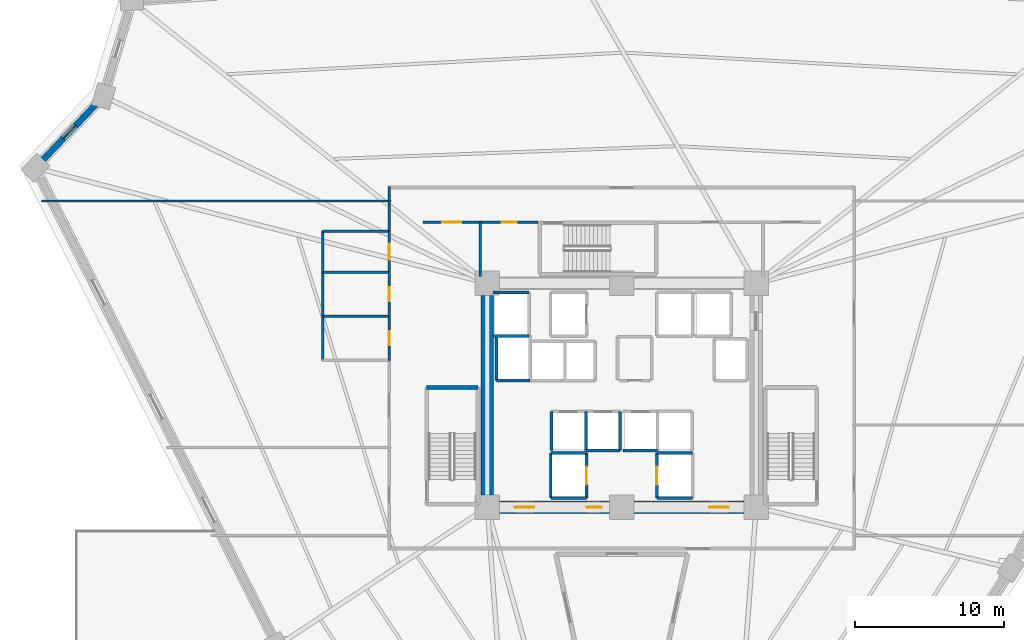
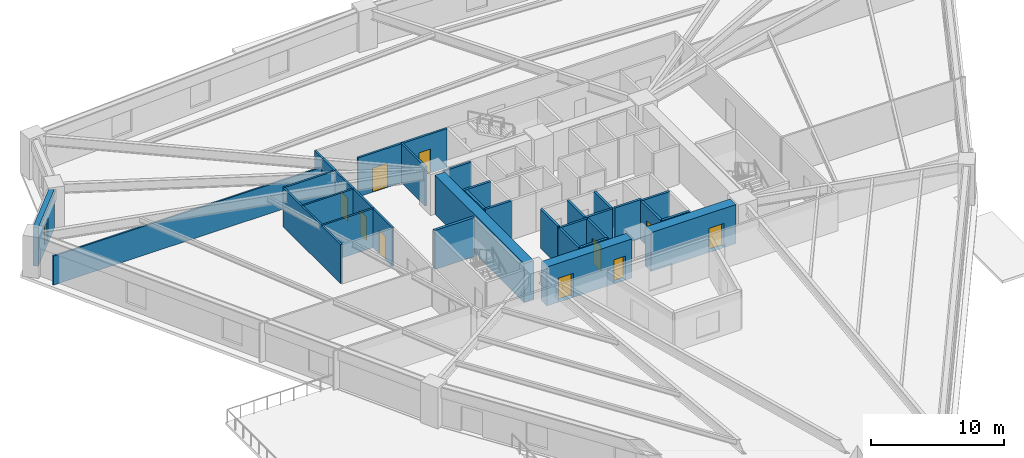
# One storey, part 4 of 9: 34 walls, 10 doors, 1 window, 11 openings.
"""IFC4 building model written with IfcOpenShell, lengths in metres."""

from ifc_helpers import new_model, si_unit, direction, frame, frame_2d, origin, place, context, subcontext, project, spatial, rectangle, extrude, source, transform, mapped, material, layer, layer_set, type_object, element, fill, save


model = new_model("IFC4")

# Units and contexts
model_context = context("Model", 3, precision=1e-05, world=origin(), true_north=direction((0.0, 1.0)))
body_context = subcontext(model_context, "Body", "Model", "MODEL_VIEW")
ifc_project = project(units=[si_unit("LENGTHUNIT", "METRE"), si_unit("AREAUNIT", "SQUARE_METRE"), si_unit("VOLUMEUNIT", "CUBIC_METRE"), si_unit("PLANEANGLEUNIT", "RADIAN"), si_unit("MASSUNIT", "GRAM", prefix="KILO")], contexts=[model_context])

# Site, building, storey
site_placement = place(None, origin())
site = spatial("IfcSite", under=ifc_project, at=site_placement, CompositionType="ELEMENT")
building_placement = place(site_placement, origin())
building = spatial("IfcBuilding", under=site, at=building_placement, Name="Liaohun Quay Tower", CompositionType="ELEMENT")
storey_placement = place(building_placement, frame((0.0, 0.0, 28.5)))
storey = spatial("IfcBuildingStorey", under=building, at=storey_placement, Name="L07", CompositionType="ELEMENT", Elevation=28.5)

# Wall, opening, door
ifc_material_1 = material(Name="Concrete C60", Category="concrete")
ifc_layer_1 = layer(ifc_material_1, 0.85009765625, Name="Concrete C60", Category="concrete")
ifc_layer_set_1 = layer_set([ifc_layer_1], Name="Concrete C60")
wall_type_1 = type_object("IfcWallType", Name="WAL-COR-Z1", PredefinedType="SHEAR", material=ifc_layer_set_1)
wall_1_placement = place(storey_placement, frame((68.175048828125, 46.5, 0.0), z_axis=(0.0, 0.0, 1.0), x_axis=(-1.0, 0.0, 0.0)))
wall_1 = element("IfcWall", 1, at=wall_1_placement, inside=storey, type_object=wall_type_1, Name="L07 Central Core Shear Wall S-E", PredefinedType="SHEAR", context=body_context, shape_type="SweptSolid", body=[
    extrude(rectangle(XDim=7.35009765625, YDim=0.85009765625, at=frame_2d((3.675048828125, 0.0))), origin(), (0.0, 0.0, 1.0), 3.570068359375),
])
shared_shape_1 = source(origin(), body_context, "Body", "SweptSolid", [
    extrude(rectangle(XDim=1.300048828125, YDim=2.199951171875, at=frame_2d((0.64990234375, 1.10009765625))), frame((0.0, 0.43505859375, 0.0), z_axis=(0.0, -1.0, 0.0), x_axis=(1.0, 0.0, 0.0)), (0.0, 0.0, 1.0), 0.8701171875),
])
opening_1_placement = place(wall_1_placement, frame((1.02490234375, 0.0, 0.0)))
opening_1 = element("IfcOpeningElement", 2, at=opening_1_placement, cuts=wall_1, Name="Opening FD1", PredefinedType="OPENING", context=body_context, shape_type="MappedRepresentation", body=[
    mapped(shared_shape_1, transform((0.0, 0.0, 0.0), x_axis=(1.0, 0.0, 0.0), y_axis=(0.0, 1.0, 0.0), z_axis=(0.0, 0.0, 1.0), scale=1.0)),
])
ifc_material_2 = material(Name="Galvanised steel smokeproof fire door", Category="steel")
door_type_1 = type_object("IfcDoorType", Name="DOR-FFL-1300", OperationType="NOTDEFINED", PredefinedType="DOOR", material=ifc_material_2)
shared_shape_2 = source(origin(), body_context, "Body", "SweptSolid", [
    extrude(rectangle(XDim=1.300048828125, YDim=2.199951171875, at=frame_2d((0.64990234375, 1.10009765625))), frame((0.0, 0.02490234375, 0.0), z_axis=(0.0, -1.0, 0.0), x_axis=(1.0, 0.0, 0.0)), (0.0, 0.0, 1.0), 0.050048828125),
])
door_1_placement = place(opening_1_placement, origin())
door_1 = element("IfcDoor", 3, at=door_1_placement, inside=storey, type_object=door_type_1, Name="L07 East Core Lift Lobby Smokeproof Door", OperationType="SINGLE_SWING_LEFT", OverallHeight=2.199951171875, OverallWidth=1.300048828125, PredefinedType="DOOR", context=body_context, shape_type="MappedRepresentation", body=[
    mapped(shared_shape_2, transform((0.0, 0.0, 0.0), x_axis=(1.0, 0.0, 0.0), y_axis=(0.0, 1.0, 0.0), z_axis=(0.0, 0.0, 1.0), scale=1.0)),
])
fill(opening_1, door_1)

# Wall, openings, doors
wall_2_placement = place(storey_placement, frame((59.175048828125, 46.5, 0.0), z_axis=(0.0, 0.0, 1.0), x_axis=(-1.0, 0.0, 0.0)))
wall_2 = element("IfcWall", 4, at=wall_2_placement, inside=storey, type_object=wall_type_1, Name="L07 Central Core Shear Wall S-W", PredefinedType="SHEAR", context=body_context, shape_type="SweptSolid", body=[
    extrude(rectangle(XDim=7.35009765625, YDim=0.85009765625, at=frame_2d((3.675048828125, 0.0))), origin(), (0.0, 0.0, 1.0), 3.570068359375),
])
opening_2_placement = place(wall_2_placement, frame((5.02490234375, 0.0, 0.0)))
opening_2 = element("IfcOpeningElement", 5, at=opening_2_placement, cuts=wall_2, Name="Opening FD1", PredefinedType="OPENING", context=body_context, shape_type="MappedRepresentation", body=[
    mapped(shared_shape_1, transform((0.0, 0.0, 0.0), x_axis=(1.0, 0.0, 0.0), y_axis=(0.0, 1.0, 0.0), z_axis=(0.0, 0.0, 1.0), scale=1.0)),
])
shared_shape_3 = source(origin(), body_context, "Body", "SweptSolid", [
    extrude(rectangle(XDim=1.0, YDim=2.199951171875, at=frame_2d((0.5, 1.10009765625))), frame((0.0, 0.43505859375, 0.0), z_axis=(0.0, -1.0, 0.0), x_axis=(1.0, 0.0, 0.0)), (0.0, 0.0, 1.0), 0.8701171875),
])
opening_3_placement = place(wall_2_placement, frame((0.52490234375, 0.0, 0.0)))
opening_3 = element("IfcOpeningElement", 6, at=opening_3_placement, cuts=wall_2, Name="Opening FD2", PredefinedType="OPENING", context=body_context, shape_type="MappedRepresentation", body=[
    mapped(shared_shape_3, transform((0.0, 0.0, 0.0), x_axis=(1.0, 0.0, 0.0), y_axis=(0.0, 1.0, 0.0), z_axis=(0.0, 0.0, 1.0), scale=1.0)),
])
door_2_placement = place(opening_2_placement, origin())
door_2 = element("IfcDoor", 7, at=door_2_placement, inside=storey, type_object=door_type_1, Name="L07 West Core Lift Lobby Smokeproof Door", OperationType="SINGLE_SWING_RIGHT", OverallHeight=2.199951171875, OverallWidth=1.300048828125, PredefinedType="DOOR", context=body_context, shape_type="MappedRepresentation", body=[
    mapped(shared_shape_2, transform((0.0, 0.0, 0.0), x_axis=(1.0, 0.0, 0.0), y_axis=(0.0, 1.0, 0.0), z_axis=(0.0, 0.0, 1.0), scale=1.0)),
])
fill(opening_2, door_2)
ifc_material_3 = material(Name="Galvanised steel smokeproof lobby fire door", Category="steel")
door_type_2 = type_object("IfcDoorType", Name="DOR-FFL-1000", OperationType="NOTDEFINED", PredefinedType="DOOR", material=ifc_material_3)
shared_shape_4 = source(origin(), body_context, "Body", "SweptSolid", [
    extrude(rectangle(XDim=1.0, YDim=2.199951171875, at=frame_2d((0.5, 1.10009765625))), frame((0.0, 0.02490234375, 0.0), z_axis=(0.0, -1.0, 0.0), x_axis=(1.0, 0.0, 0.0)), (0.0, 0.0, 1.0), 0.050048828125),
])
door_3_placement = place(opening_3_placement, origin())
door_3 = element("IfcDoor", 8, at=door_3_placement, inside=storey, type_object=door_type_2, Name="L07 South Firefighting Lobby Smokeproof Door", OperationType="SINGLE_SWING_LEFT", OverallHeight=2.199951171875, OverallWidth=1.0, PredefinedType="DOOR", context=body_context, shape_type="MappedRepresentation", body=[
    mapped(shared_shape_4, transform((0.0, 0.0, 0.0), x_axis=(1.0, 0.0, 0.0), y_axis=(0.0, 1.0, 0.0), z_axis=(0.0, 0.0, 1.0), scale=1.0)),
])
fill(opening_3, door_3)

# Wall
wall_3_placement = place(storey_placement, frame((51.0, 47.324951171875, 0.0), z_axis=(0.0, 0.0, 1.0), x_axis=(0.0, 1.0, 0.0)))
element("IfcWall", 9, at=wall_3_placement, inside=storey, type_object=wall_type_1, Name="L07 Central Core Shear Wall W", PredefinedType="SHEAR", context=body_context, shape_type="SweptSolid", body=[
    extrude(rectangle(XDim=13.35009765625, YDim=0.85009765625, at=frame_2d((6.675048828125, 0.0))), origin(), (0.0, 0.0, 1.0), 3.570068359375),
])

# Wall, opening, window
ifc_material_4 = material(Name="Precast concrete C50 insulated sandwich", Category="concrete")
ifc_layer_2 = layer(ifc_material_4, 0.419921875, Name="Precast concrete C50 insulated sandwich", Category="concrete")
ifc_layer_set_2 = layer_set([ifc_layer_2], Name="Precast concrete C50 insulated sandwich")
wall_type_2 = type_object("IfcWallType", Name="WAL-EXT-Z12", PredefinedType="SOLIDWALL", material=ifc_layer_set_2)
wall_4_placement = place(storey_placement, frame((24.7939453125, 73.468017578125, 0.0), z_axis=(0.0, 0.0, 1.0), x_axis=(-0.689456877946, -0.724326731146, 0.0)))
wall_4 = element("IfcWall", 10, at=wall_4_placement, inside=storey, type_object=wall_type_2, Name="L07 Brutalist Precast Pier Wall 09", PredefinedType="SOLIDWALL", context=body_context, shape_type="SweptSolid", body=[
    extrude(rectangle(XDim=5.10400390625, YDim=0.419921875, at=frame_2d((2.552001953125, 0.0))), origin(), (0.0, 0.0, 1.0), 3.570068359375),
])
shared_shape_5 = source(origin(), body_context, "Body", "SweptSolid", [
    extrude(rectangle(XDim=1.199951171875, YDim=1.89990234375, at=frame_2d((0.60009765625, 0.949951171875))), frame((0.0, 0.219970703125, 0.0), z_axis=(0.0, -1.0, 0.0), x_axis=(1.0, 0.0, 0.0)), (0.0, 0.0, 1.0), 0.43994140625),
])
opening_4_placement = place(wall_4_placement, frame((1.951904296875, 0.0, 0.550048828125)))
opening_4 = element("IfcOpeningElement", 11, at=opening_4_placement, cuts=wall_4, Name="Opening W05", PredefinedType="OPENING", context=body_context, shape_type="MappedRepresentation", body=[
    mapped(shared_shape_5, transform((0.0, 0.0, 0.0), x_axis=(1.0, 0.0, 0.0), y_axis=(0.0, 1.0, 0.0), z_axis=(0.0, 0.0, 1.0), scale=1.0)),
])
ifc_material_5 = material(Name="Triple Low-E corner notch glazing", Category="glass")
window_type = type_object("IfcWindowType", Name="WIN-NOTCH", PartitioningType="SINGLE_PANEL", PredefinedType="WINDOW", material=ifc_material_5)
shared_shape_6 = source(origin(), body_context, "Body", "SweptSolid", [
    extrude(rectangle(XDim=1.199951171875, YDim=1.89990234375, at=frame_2d((0.60009765625, 0.949951171875))), frame((0.0, 0.030029296875, 0.0), z_axis=(0.0, -1.0, 0.0), x_axis=(1.0, 0.0, 0.0)), (0.0, 0.0, 1.0), 0.06005859375),
])
window_placement = place(opening_4_placement, origin())
window = element("IfcWindow", 12, at=window_placement, inside=storey, type_object=window_type, Name="L07 Corner Notch Window W05-09", OverallHeight=1.89990234375, OverallWidth=1.199951171875, PartitioningType="SINGLE_PANEL", PredefinedType="WINDOW", context=body_context, shape_type="MappedRepresentation", body=[
    mapped(shared_shape_6, transform((0.0, 0.0, 0.0), x_axis=(1.0, 0.0, 0.0), y_axis=(0.0, 1.0, 0.0), z_axis=(0.0, 0.0, 1.0), scale=1.0)),
])
fill(opening_4, window)

# Wall, opening, door
ifc_material_6 = material(Name="Autoclaved aerated concrete blockwork", Category="masonry")
ifc_layer_3 = layer(ifc_material_6, 0.179931640625, Name="Autoclaved aerated concrete blockwork", Category="masonry")
ifc_layer_set_3 = layer_set([ifc_layer_3], Name="Autoclaved aerated concrete blockwork")
wall_type_3 = type_object("IfcWallType", Name="WAL-PRT-COR", PredefinedType="PARTITIONING", material=ifc_layer_set_3)
wall_5_placement = place(storey_placement, frame((50.5400390625, 65.580078125, 0.0), z_axis=(0.0, 0.0, 1.0), x_axis=(1.0, 0.0, 0.0)))
wall_5 = element("IfcWall", 13, at=wall_5_placement, inside=storey, type_object=wall_type_3, Name="L07 Interior Partition Wall 005", PredefinedType="PARTITIONING", context=body_context, shape_type="SweptSolid", body=[
    extrude(rectangle(XDim=3.869873046875, YDim=0.179931640625, at=frame_2d((1.93505859375, 0.0))), origin(), (0.0, 0.0, 1.0), 3.570068359375),
])
shared_shape_7 = source(origin(), body_context, "Body", "SweptSolid", [
    extrude(rectangle(XDim=1.0, YDim=2.199951171875, at=frame_2d((0.5, 1.10009765625))), frame((0.0, 0.099853515625, 0.0), z_axis=(0.0, -1.0, 0.0), x_axis=(1.0, 0.0, 0.0)), (0.0, 0.0, 1.0), 0.199951171875),
])
opening_5_placement = place(wall_5_placement, frame((1.43505859375, 0.0, 0.0)))
opening_5 = element("IfcOpeningElement", 14, at=opening_5_placement, cuts=wall_5, Name="Opening OD1", PredefinedType="OPENING", context=body_context, shape_type="MappedRepresentation", body=[
    mapped(shared_shape_7, transform((0.0, 0.0, 0.0), x_axis=(1.0, 0.0, 0.0), y_axis=(0.0, 1.0, 0.0), z_axis=(0.0, 0.0, 1.0), scale=1.0)),
])
ifc_material_7 = material(Name="Solid-core oak veneer timber leaf in steel frame", Category="steel")
door_type_3 = type_object("IfcDoorType", Name="DOR-OFF-1000", OperationType="NOTDEFINED", PredefinedType="DOOR", material=ifc_material_7)
door_4_placement = place(opening_5_placement, origin())
door_4 = element("IfcDoor", 15, at=door_4_placement, inside=storey, type_object=door_type_3, Name="L07 North-West Print and Telecom Room Door", OperationType="SINGLE_SWING_RIGHT", OverallHeight=2.199951171875, OverallWidth=1.0, PredefinedType="DOOR", context=body_context, shape_type="MappedRepresentation", body=[
    mapped(shared_shape_4, transform((0.0, 0.0, 0.0), x_axis=(1.0, 0.0, 0.0), y_axis=(0.0, 1.0, 0.0), z_axis=(0.0, 0.0, 1.0), scale=1.0)),
])
fill(opening_5, door_4)

wall_6_placement = place(storey_placement, frame((46.699951171875, 65.580078125, 0.0), z_axis=(0.0, 0.0, 1.0), x_axis=(1.0, 0.0, 0.0)))
wall_6 = element("IfcWall", 16, at=wall_6_placement, inside=storey, type_object=wall_type_3, Name="L07 Interior Partition Wall 007", PredefinedType="PARTITIONING", context=body_context, shape_type="SweptSolid", body=[
    extrude(rectangle(XDim=3.840087890625, YDim=0.179931640625, at=frame_2d((1.919921875, 0.0))), origin(), (0.0, 0.0, 1.0), 3.570068359375),
])
shared_shape_8 = source(origin(), body_context, "Body", "SweptSolid", [
    extrude(rectangle(XDim=1.300048828125, YDim=2.199951171875, at=frame_2d((0.64990234375, 1.10009765625))), frame((0.0, 0.099853515625, 0.0), z_axis=(0.0, -1.0, 0.0), x_axis=(1.0, 0.0, 0.0)), (0.0, 0.0, 1.0), 0.199951171875),
])
opening_6_placement = place(wall_6_placement, frame((1.27001953125, 0.0, 0.0)))
opening_6 = element("IfcOpeningElement", 17, at=opening_6_placement, cuts=wall_6, Name="Opening FD1", PredefinedType="OPENING", context=body_context, shape_type="MappedRepresentation", body=[
    mapped(shared_shape_8, transform((0.0, 0.0, 0.0), x_axis=(1.0, 0.0, 0.0), y_axis=(0.0, 1.0, 0.0), z_axis=(0.0, 0.0, 1.0), scale=1.0)),
])
door_5_placement = place(opening_6_placement, origin())
door_5 = element("IfcDoor", 18, at=door_5_placement, inside=storey, type_object=door_type_1, Name="L07 West Core Vestibule Door", OperationType="SINGLE_SWING_RIGHT", OverallHeight=2.199951171875, OverallWidth=1.300048828125, PredefinedType="DOOR", context=body_context, shape_type="MappedRepresentation", body=[
    mapped(shared_shape_2, transform((0.0, 0.0, 0.0), x_axis=(1.0, 0.0, 0.0), y_axis=(0.0, 1.0, 0.0), z_axis=(0.0, 0.0, 1.0), scale=1.0)),
])
fill(opening_6, door_5)

# Walls
wall_7_placement = place(storey_placement, frame((50.5400390625, 61.949951171875, 0.0), z_axis=(0.0, 0.0, 1.0), x_axis=(0.0, 1.0, 0.0)))
element("IfcWall", 19, at=wall_7_placement, inside=storey, type_object=wall_type_3, Name="L07 Interior Partition Wall 023", PredefinedType="PARTITIONING", context=body_context, shape_type="SweptSolid", body=[
    extrude(rectangle(XDim=3.630126953125, YDim=0.179931640625, at=frame_2d((1.81494140625, 0.0))), origin(), (0.0, 0.0, 1.0), 3.570068359375),
])
wall_8_placement = place(storey_placement, frame((44.43994140625, 66.784912109375, 0.0), z_axis=(0.0, 0.0, 1.0), x_axis=(0.0, 1.0, 0.0)))
element("IfcWall", 20, at=wall_8_placement, inside=storey, type_object=wall_type_3, Name="L07 Interior Partition Wall 025", PredefinedType="PARTITIONING", context=body_context, shape_type="SweptSolid", body=[
    extrude(rectangle(XDim=1.195068359375, YDim=0.179931640625, at=frame_2d((0.59765625, 0.0))), origin(), (0.0, 0.0, 1.0), 3.570068359375),
])
wall_9_placement = place(storey_placement, frame((44.43994140625, 64.97998046875, 0.0), z_axis=(0.0, 0.0, 1.0), x_axis=(0.0, 1.0, 0.0)))
element("IfcWall", 21, at=wall_9_placement, inside=storey, type_object=wall_type_3, Name="L07 Interior Partition Wall 027", PredefinedType="PARTITIONING", context=body_context, shape_type="SweptSolid", body=[
    extrude(rectangle(XDim=1.804931640625, YDim=0.179931640625, at=frame_2d((0.90234375, 0.0))), origin(), (0.0, 0.0, 1.0), 3.570068359375),
])
ifc_material_8 = material(Name="Gypsum board on twin steel studs", Category="steel")
ifc_layer_4 = layer(ifc_material_8, 0.139892578125, Name="Gypsum board on twin steel studs", Category="steel")
ifc_layer_set_4 = layer_set([ifc_layer_4], Name="Gypsum board on twin steel studs")
wall_type_4 = type_object("IfcWallType", Name="WAL-PRT-OFF", PredefinedType="PARTITIONING", material=ifc_layer_set_4)
wall_10_placement = place(storey_placement, frame((44.5400390625, 67.0, 0.0), z_axis=(0.0, 0.0, 1.0), x_axis=(-1.0, 0.0, 0.0)))
element("IfcWall", 22, at=wall_10_placement, inside=storey, type_object=wall_type_4, Name="L07 Interior Partition Wall 032", PredefinedType="PARTITIONING", context=body_context, shape_type="SweptSolid", body=[
    extrude(rectangle(XDim=23.3759765625, YDim=0.139892578125, at=frame_2d((11.68798828125, 0.0))), origin(), (0.0, 0.0, 1.0), 2.655029296875),
])

# Wall, opening, door
ifc_material_9 = material(Name="Moisture-resistant masonry blockwork", Category="masonry")
ifc_layer_5 = layer(ifc_material_9, 0.159912109375, Name="Moisture-resistant masonry blockwork", Category="masonry")
ifc_layer_set_5 = layer_set([ifc_layer_5], Name="Moisture-resistant masonry blockwork")
wall_type_5 = type_object("IfcWallType", Name="WAL-PRT-WET", PredefinedType="PARTITIONING", material=ifc_layer_set_5)
wall_11_placement = place(storey_placement, frame((44.43994140625, 56.340087890625, 0.0), z_axis=(0.0, 0.0, 1.0), x_axis=(0.0, 1.0, 0.0)))
wall_11 = element("IfcWall", 23, at=wall_11_placement, inside=storey, type_object=wall_type_5, Name="L07 Interior Partition Wall 002", PredefinedType="PARTITIONING", context=body_context, shape_type="SweptSolid", body=[
    extrude(rectangle(XDim=2.93994140625, YDim=0.159912109375, at=frame_2d((1.469970703125, 0.0))), origin(), (0.0, 0.0, 1.0), 3.570068359375),
])
shared_shape_9 = source(origin(), body_context, "Body", "SweptSolid", [
    extrude(rectangle(XDim=0.949951171875, YDim=2.14990234375, at=frame_2d((0.47509765625, 1.074951171875))), frame((0.0, 0.08984375, 0.0), z_axis=(0.0, -1.0, 0.0), x_axis=(1.0, 0.0, 0.0)), (0.0, 0.0, 1.0), 0.179931640625),
])
opening_7_placement = place(wall_11_placement, frame((0.9951171875, 0.0, 0.0)))
opening_7 = element("IfcOpeningElement", 24, at=opening_7_placement, cuts=wall_11, Name="Opening WD1", PredefinedType="OPENING", context=body_context, shape_type="MappedRepresentation", body=[
    mapped(shared_shape_9, transform((0.0, 0.0, 0.0), x_axis=(1.0, 0.0, 0.0), y_axis=(0.0, 1.0, 0.0), z_axis=(0.0, 0.0, 1.0), scale=1.0)),
])
ifc_material_10 = material(Name="Moisture-resistant laminate timber leaf", Category="wood")
door_type_4 = type_object("IfcDoorType", Name="DOR-WC-950", OperationType="NOTDEFINED", PredefinedType="DOOR", material=ifc_material_10)
shared_shape_10 = source(origin(), body_context, "Body", "SweptSolid", [
    extrude(rectangle(XDim=0.949951171875, YDim=2.14990234375, at=frame_2d((0.47509765625, 1.074951171875))), frame((0.0, 0.02490234375, 0.0), z_axis=(0.0, -1.0, 0.0), x_axis=(1.0, 0.0, 0.0)), (0.0, 0.0, 1.0), 0.050048828125),
])
door_6_placement = place(opening_7_placement, origin())
door_6 = element("IfcDoor", 25, at=door_6_placement, inside=storey, type_object=door_type_4, Name="L07 Male Restroom WC Door", OperationType="SINGLE_SWING_LEFT", OverallHeight=2.14990234375, OverallWidth=0.949951171875, PredefinedType="DOOR", context=body_context, shape_type="MappedRepresentation", body=[
    mapped(shared_shape_10, transform((0.0, 0.0, 0.0), x_axis=(1.0, 0.0, 0.0), y_axis=(0.0, 1.0, 0.0), z_axis=(0.0, 0.0, 1.0), scale=1.0)),
])
fill(opening_7, door_6)

wall_12_placement = place(storey_placement, frame((44.43994140625, 59.280029296875, 0.0), z_axis=(0.0, 0.0, 1.0), x_axis=(0.0, 1.0, 0.0)))
wall_12 = element("IfcWall", 26, at=wall_12_placement, inside=storey, type_object=wall_type_5, Name="L07 Interior Partition Wall 003", PredefinedType="PARTITIONING", context=body_context, shape_type="SweptSolid", body=[
    extrude(rectangle(XDim=2.9599609375, YDim=0.159912109375, at=frame_2d((1.47998046875, 0.0))), origin(), (0.0, 0.0, 1.0), 3.570068359375),
])
opening_8_placement = place(wall_12_placement, frame((1.0048828125, 0.0, 0.0)))
opening_8 = element("IfcOpeningElement", 27, at=opening_8_placement, cuts=wall_12, Name="Opening WD1", PredefinedType="OPENING", context=body_context, shape_type="MappedRepresentation", body=[
    mapped(shared_shape_9, transform((0.0, 0.0, 0.0), x_axis=(1.0, 0.0, 0.0), y_axis=(0.0, 1.0, 0.0), z_axis=(0.0, 0.0, 1.0), scale=1.0)),
])
door_7_placement = place(opening_8_placement, origin())
door_7 = element("IfcDoor", 28, at=door_7_placement, inside=storey, type_object=door_type_4, Name="L07 Female Restroom WC Door", OperationType="SINGLE_SWING_RIGHT", OverallHeight=2.14990234375, OverallWidth=0.949951171875, PredefinedType="DOOR", context=body_context, shape_type="MappedRepresentation", body=[
    mapped(shared_shape_10, transform((0.0, 0.0, 0.0), x_axis=(1.0, 0.0, 0.0), y_axis=(0.0, 1.0, 0.0), z_axis=(0.0, 0.0, 1.0), scale=1.0)),
])
fill(opening_8, door_7)

wall_13_placement = place(storey_placement, frame((44.43994140625, 62.239990234375, 0.0), z_axis=(0.0, 0.0, 1.0), x_axis=(0.0, 1.0, 0.0)))
wall_13 = element("IfcWall", 29, at=wall_13_placement, inside=storey, type_object=wall_type_5, Name="L07 Interior Partition Wall 004", PredefinedType="PARTITIONING", context=body_context, shape_type="SweptSolid", body=[
    extrude(rectangle(XDim=2.739990234375, YDim=0.159912109375, at=frame_2d((1.3701171875, 0.0))), origin(), (0.0, 0.0, 1.0), 3.570068359375),
])
shared_shape_11 = source(origin(), body_context, "Body", "SweptSolid", [
    extrude(rectangle(XDim=1.050048828125, YDim=2.14990234375, at=frame_2d((0.52490234375, 1.074951171875))), frame((0.0, 0.08984375, 0.0), z_axis=(0.0, -1.0, 0.0), x_axis=(1.0, 0.0, 0.0)), (0.0, 0.0, 1.0), 0.179931640625),
])
opening_9_placement = place(wall_13_placement, frame((0.844970703125, 0.0, 0.0)))
opening_9 = element("IfcOpeningElement", 30, at=opening_9_placement, cuts=wall_13, Name="Opening WD2", PredefinedType="OPENING", context=body_context, shape_type="MappedRepresentation", body=[
    mapped(shared_shape_11, transform((0.0, 0.0, 0.0), x_axis=(1.0, 0.0, 0.0), y_axis=(0.0, 1.0, 0.0), z_axis=(0.0, 0.0, 1.0), scale=1.0)),
])
ifc_material_11 = material(Name="Accessible outward-swinging laminate door")
door_type_5 = type_object("IfcDoorType", Name="DOR-AWC-1050", OperationType="NOTDEFINED", PredefinedType="DOOR", material=ifc_material_11)
shared_shape_12 = source(origin(), body_context, "Body", "SweptSolid", [
    extrude(rectangle(XDim=1.050048828125, YDim=2.14990234375, at=frame_2d((0.52490234375, 1.074951171875))), frame((0.0, 0.02490234375, 0.0), z_axis=(0.0, -1.0, 0.0), x_axis=(1.0, 0.0, 0.0)), (0.0, 0.0, 1.0), 0.050048828125),
])
door_8_placement = place(opening_9_placement, origin())
door_8 = element("IfcDoor", 31, at=door_8_placement, inside=storey, type_object=door_type_5, Name="L07 Accessible WC Door", OperationType="SINGLE_SWING_LEFT", OverallHeight=2.14990234375, OverallWidth=1.050048828125, PredefinedType="DOOR", context=body_context, shape_type="MappedRepresentation", body=[
    mapped(shared_shape_12, transform((0.0, 0.0, 0.0), x_axis=(1.0, 0.0, 0.0), y_axis=(0.0, 1.0, 0.0), z_axis=(0.0, 0.0, 1.0), scale=1.0)),
])
fill(opening_9, door_8)

# Walls
wall_14_placement = place(storey_placement, frame((39.97998046875, 56.340087890625, 0.0), z_axis=(0.0, 0.0, 1.0), x_axis=(0.0, 1.0, 0.0)))
element("IfcWall", 32, at=wall_14_placement, inside=storey, type_object=wall_type_5, Name="L07 Interior Partition Wall 018", PredefinedType="PARTITIONING", context=body_context, shape_type="SweptSolid", body=[
    extrude(rectangle(XDim=8.639892578125, YDim=0.159912109375, at=frame_2d((4.31982421875, 0.0))), origin(), (0.0, 0.0, 1.0), 3.570068359375),
])
for number, where, z_axis, x_axis, name in (
    (33, (39.97998046875, 59.280029296875, 0.0), (0.0, 0.0, 1.0), (1.0, 0.0, 0.0), "L07 Interior Partition Wall 020"),
    (34, (39.97998046875, 62.239990234375, 0.0), (0.0, 0.0, 1.0), (1.0, 0.0, 0.0), "L07 Interior Partition Wall 021"),
    (35, (39.97998046875, 64.97998046875, 0.0), (0.0, 0.0, 1.0), (1.0, 0.0, 0.0), "L07 Interior Partition Wall 022"),
):
    element("IfcWall", number, at=place(storey_placement, frame(where, z_axis=z_axis, x_axis=x_axis)), inside=storey, type_object=wall_type_5, Name=name, PredefinedType="PARTITIONING", context=body_context, shape_type="SweptSolid", body=[
        extrude(rectangle(XDim=4.4599609375, YDim=0.159912109375, at=frame_2d((2.22998046875, 0.0))), origin(), (0.0, 0.0, 1.0), 3.570068359375),
    ])
ifc_material_12 = material(Name="Concrete C50", Category="concrete")
ifc_layer_6 = layer(ifc_material_12, 0.239990234375, Name="Concrete C50", Category="concrete")
ifc_layer_set_6 = layer_set([ifc_layer_6], Name="Concrete C50")
wall_type_6 = type_object("IfcWallType", Name="WAL-SHF-200", PredefinedType="SOLIDWALL", material=ifc_layer_set_6)
wall_15_placement = place(storey_placement, frame((50.3798828125, 54.52001953125, 0.0), z_axis=(0.0, 0.0, 1.0), x_axis=(-1.0, 0.0, 0.0)))
element("IfcWall", 36, at=wall_15_placement, inside=storey, type_object=wall_type_6, Name="L07 Stairwell ST-1 Structural Core Wall N", PredefinedType="SOLIDWALL", context=body_context, shape_type="SweptSolid", body=[
    extrude(rectangle(XDim=3.43994140625, YDim=0.239990234375, at=frame_2d((1.719970703125, 0.0))), origin(), (0.0, 0.0, 1.0), 3.570068359375),
])
wall_16_placement = place(storey_placement, frame((55.25, 47.1201171875, 0.0), z_axis=(0.0, 0.0, 1.0), x_axis=(1.0, 0.0, 0.0)))
element("IfcWall", 37, at=wall_16_placement, inside=storey, type_object=wall_type_6, Name="L07 Lift FF-01 Hoistway Wall S", PredefinedType="SOLIDWALL", context=body_context, shape_type="SweptSolid", body=[
    extrude(rectangle(XDim=2.39990234375, YDim=0.199951171875, at=frame_2d((1.199951171875, 0.0))), origin(), (0.0, 0.0, 1.0), 3.570068359375),
])

# Wall, opening, door
wall_17_placement = place(storey_placement, frame((57.64990234375, 47.1201171875, 0.0), z_axis=(0.0, 0.0, 1.0), x_axis=(0.0, 1.0, 0.0)))
wall_17 = element("IfcWall", 38, at=wall_17_placement, inside=storey, type_object=wall_type_6, Name="L07 Lift FF-01 Hoistway Wall E", PredefinedType="SOLIDWALL", context=body_context, shape_type="SweptSolid", body=[
    extrude(rectangle(XDim=3.0, YDim=0.199951171875, at=frame_2d((1.5, 0.0))), origin(), (0.0, 0.0, 1.0), 3.570068359375),
])
shared_shape_13 = source(origin(), body_context, "Body", "SweptSolid", [
    extrude(rectangle(XDim=1.199951171875, YDim=2.300048828125, at=frame_2d((0.60009765625, 1.14990234375))), frame((0.0, 0.10986328125, 0.0), z_axis=(0.0, -1.0, 0.0), x_axis=(1.0, 0.0, 0.0)), (0.0, 0.0, 1.0), 0.219970703125),
])
opening_10_placement = place(wall_17_placement, frame((0.89990234375, 0.0, 0.0)))
opening_10 = element("IfcOpeningElement", 39, at=opening_10_placement, cuts=wall_17, Name="Opening LD2", PredefinedType="OPENING", context=body_context, shape_type="MappedRepresentation", body=[
    mapped(shared_shape_13, transform((0.0, 0.0, 0.0), x_axis=(1.0, 0.0, 0.0), y_axis=(0.0, 1.0, 0.0), z_axis=(0.0, 0.0, 1.0), scale=1.0)),
])
ifc_material_13 = material(Name="Brushed stainless steel stretcher landing door", Category="steel")
door_type_6 = type_object("IfcDoorType", Name="DOR-LFT-1200", OperationType="SLIDING_TO_LEFT", PredefinedType="DOOR", material=ifc_material_13)
shared_shape_14 = source(origin(), body_context, "Body", "SweptSolid", [
    extrude(rectangle(XDim=1.199951171875, YDim=2.300048828125, at=frame_2d((0.60009765625, 1.14990234375))), frame((0.0, 0.02490234375, 0.0), z_axis=(0.0, -1.0, 0.0), x_axis=(1.0, 0.0, 0.0)), (0.0, 0.0, 1.0), 0.050048828125),
])
door_9_placement = place(opening_10_placement, origin())
door_9 = element("IfcDoor", 40, at=door_9_placement, inside=storey, type_object=door_type_6, Name="L07 Lift FF-01 Sliding Landing Door", OperationType="SLIDING_TO_LEFT", OverallHeight=2.300048828125, OverallWidth=1.199951171875, PredefinedType="DOOR", context=body_context, shape_type="MappedRepresentation", body=[
    mapped(shared_shape_14, transform((0.0, 0.0, 0.0), x_axis=(1.0, 0.0, 0.0), y_axis=(0.0, 1.0, 0.0), z_axis=(0.0, 0.0, 1.0), scale=1.0)),
])
fill(opening_10, door_9)

# Walls
wall_18_placement = place(storey_placement, frame((57.64990234375, 50.1201171875, 0.0), z_axis=(0.0, 0.0, 1.0), x_axis=(-1.0, 0.0, 0.0)))
element("IfcWall", 41, at=wall_18_placement, inside=storey, type_object=wall_type_6, Name="L07 Lift FF-01 Hoistway Wall N", PredefinedType="SOLIDWALL", context=body_context, shape_type="SweptSolid", body=[
    extrude(rectangle(XDim=2.39990234375, YDim=0.199951171875, at=frame_2d((1.199951171875, 0.0))), origin(), (0.0, 0.0, 1.0), 3.570068359375),
])
wall_19_placement = place(storey_placement, frame((55.25, 50.1201171875, 0.0), z_axis=(0.0, 0.0, 1.0), x_axis=(0.0, -1.0, 0.0)))
element("IfcWall", 42, at=wall_19_placement, inside=storey, type_object=wall_type_6, Name="L07 Lift FF-01 Hoistway Wall W", PredefinedType="SOLIDWALL", context=body_context, shape_type="SweptSolid", body=[
    extrude(rectangle(XDim=3.0, YDim=0.199951171875, at=frame_2d((1.5, 0.0))), origin(), (0.0, 0.0, 1.0), 3.570068359375),
])
for number, where, z_axis, x_axis, name in (
    (43, (62.35009765625, 47.1201171875, 0.0), (0.0, 0.0, 1.0), (1.0, 0.0, 0.0), "L07 Lift FF-02 Hoistway Wall S"),
    (44, (64.75, 50.1201171875, 0.0), (0.0, 0.0, 1.0), (-1.0, 0.0, 0.0), "L07 Lift FF-02 Hoistway Wall N"),
):
    element("IfcWall", number, at=place(storey_placement, frame(where, z_axis=z_axis, x_axis=x_axis)), inside=storey, type_object=wall_type_6, Name=name, PredefinedType="SOLIDWALL", context=body_context, shape_type="SweptSolid", body=[
        extrude(rectangle(XDim=2.39990234375, YDim=0.199951171875, at=frame_2d((1.199951171875, 0.0))), origin(), (0.0, 0.0, 1.0), 3.570068359375),
    ])

# Wall, opening, door
wall_20_placement = place(storey_placement, frame((62.35009765625, 50.1201171875, 0.0), z_axis=(0.0, 0.0, 1.0), x_axis=(0.0, -1.0, 0.0)))
wall_20 = element("IfcWall", 45, at=wall_20_placement, inside=storey, type_object=wall_type_6, Name="L07 Lift FF-02 Hoistway Wall W", PredefinedType="SOLIDWALL", context=body_context, shape_type="SweptSolid", body=[
    extrude(rectangle(XDim=3.0, YDim=0.199951171875, at=frame_2d((1.5, 0.0))), origin(), (0.0, 0.0, 1.0), 3.570068359375),
])
opening_11_placement = place(wall_20_placement, frame((0.89990234375, 0.0, 0.0)))
opening_11 = element("IfcOpeningElement", 46, at=opening_11_placement, cuts=wall_20, Name="Opening LD2", PredefinedType="OPENING", context=body_context, shape_type="MappedRepresentation", body=[
    mapped(shared_shape_13, transform((0.0, 0.0, 0.0), x_axis=(1.0, 0.0, 0.0), y_axis=(0.0, 1.0, 0.0), z_axis=(0.0, 0.0, 1.0), scale=1.0)),
])
door_10_placement = place(opening_11_placement, origin())
door_10 = element("IfcDoor", 47, at=door_10_placement, inside=storey, type_object=door_type_6, Name="L07 Lift FF-02 Sliding Landing Door", OperationType="SLIDING_TO_LEFT", OverallHeight=2.300048828125, OverallWidth=1.199951171875, PredefinedType="DOOR", context=body_context, shape_type="MappedRepresentation", body=[
    mapped(shared_shape_14, transform((0.0, 0.0, 0.0), x_axis=(1.0, 0.0, 0.0), y_axis=(0.0, 1.0, 0.0), z_axis=(0.0, 0.0, 1.0), scale=1.0)),
])
fill(opening_11, door_10)

# Walls
for number, where, z_axis, x_axis, name in (
    (48, (51.39990234375, 57.949951171875, 0.0), (0.0, 0.0, 1.0), (1.0, 0.0, 0.0), "L07 Lift SH-01 Hoistway Wall S"),
    (49, (53.800048828125, 60.8798828125, 0.0), (0.0, 0.0, 1.0), (-1.0, 0.0, 0.0), "L07 Lift SH-01 Hoistway Wall N"),
):
    element("IfcWall", number, at=place(storey_placement, frame(where, z_axis=z_axis, x_axis=x_axis)), inside=storey, type_object=wall_type_6, Name=name, PredefinedType="SOLIDWALL", context=body_context, shape_type="SweptSolid", body=[
        extrude(rectangle(XDim=2.400146484375, YDim=0.199951171875, at=frame_2d((1.2001953125, 0.0))), origin(), (0.0, 0.0, 1.0), 3.570068359375),
    ])
wall_21_placement = place(storey_placement, frame((51.6201171875, 55.0, 0.0), z_axis=(0.0, 0.0, 1.0), x_axis=(1.0, 0.0, 0.0)))
element("IfcWall", 50, at=wall_21_placement, inside=storey, type_object=wall_type_6, Name="L07 Lift SH-02 Hoistway Wall S", PredefinedType="SOLIDWALL", context=body_context, shape_type="SweptSolid", body=[
    extrude(rectangle(XDim=2.22998046875, YDim=0.199951171875, at=frame_2d((1.114990234375, 0.0))), origin(), (0.0, 0.0, 1.0), 3.570068359375),
])
wall_22_placement = place(storey_placement, frame((51.6201171875, 58.0, 0.0), z_axis=(0.0, 0.0, 1.0), x_axis=(0.0, -1.0, 0.0)))
element("IfcWall", 51, at=wall_22_placement, inside=storey, type_object=wall_type_6, Name="L07 Lift SH-02 Hoistway Wall W", PredefinedType="SOLIDWALL", context=body_context, shape_type="SweptSolid", body=[
    extrude(rectangle(XDim=3.0, YDim=0.199951171875, at=frame_2d((1.5, 0.0))), origin(), (0.0, 0.0, 1.0), 3.570068359375),
])
for number, where, z_axis, x_axis, name in (
    (52, (57.60009765625, 50.300048828125, 0.0), (0.0, 0.0, 1.0), (0.0, 1.0, 0.0), "L07 Lift PL-1A Hoistway Wall E"),
    (53, (55.300048828125, 52.89990234375, 0.0), (0.0, 0.0, 1.0), (0.0, -1.0, 0.0), "L07 Lift PL-1A Hoistway Wall W"),
):
    element("IfcWall", number, at=place(storey_placement, frame(where, z_axis=z_axis, x_axis=x_axis)), inside=storey, type_object=wall_type_6, Name=name, PredefinedType="SOLIDWALL", context=body_context, shape_type="SweptSolid", body=[
        extrude(rectangle(XDim=2.599853515625, YDim=0.199951171875, at=frame_2d((1.2998046875, 0.0))), origin(), (0.0, 0.0, 1.0), 3.570068359375),
    ])
wall_23_placement = place(storey_placement, frame((57.60009765625, 50.300048828125, 0.0), z_axis=(0.0, 0.0, 1.0), x_axis=(1.0, 0.0, 0.0)))
element("IfcWall", 54, at=wall_23_placement, inside=storey, type_object=wall_type_6, Name="L07 Lift PL-1B Hoistway Wall S", PredefinedType="SOLIDWALL", context=body_context, shape_type="SweptSolid", body=[
    extrude(rectangle(XDim=2.2998046875, YDim=0.199951171875, at=frame_2d((1.14990234375, 0.0))), origin(), (0.0, 0.0, 1.0), 3.570068359375),
])
wall_24_placement = place(storey_placement, frame((59.89990234375, 50.300048828125, 0.0), z_axis=(0.0, 0.0, 1.0), x_axis=(0.0, 1.0, 0.0)))
element("IfcWall", 55, at=wall_24_placement, inside=storey, type_object=wall_type_6, Name="L07 Lift PL-1B Hoistway Wall E", PredefinedType="SOLIDWALL", context=body_context, shape_type="SweptSolid", body=[
    extrude(rectangle(XDim=2.599853515625, YDim=0.199951171875, at=frame_2d((1.2998046875, 0.0))), origin(), (0.0, 0.0, 1.0), 3.570068359375),
])
wall_25_placement = place(storey_placement, frame((60.10009765625, 50.300048828125, 0.0), z_axis=(0.0, 0.0, 1.0), x_axis=(1.0, 0.0, 0.0)))
element("IfcWall", 56, at=wall_25_placement, inside=storey, type_object=wall_type_6, Name="L07 Lift PL-1C Hoistway Wall S", PredefinedType="SOLIDWALL", context=body_context, shape_type="SweptSolid", body=[
    extrude(rectangle(XDim=2.2998046875, YDim=0.199951171875, at=frame_2d((1.14990234375, 0.0))), origin(), (0.0, 0.0, 1.0), 3.570068359375),
])

save(model, "model.ifc")
